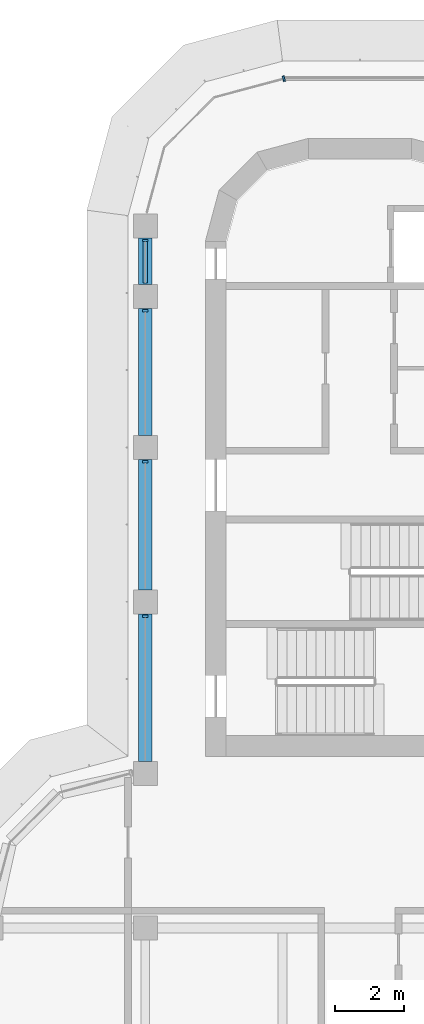
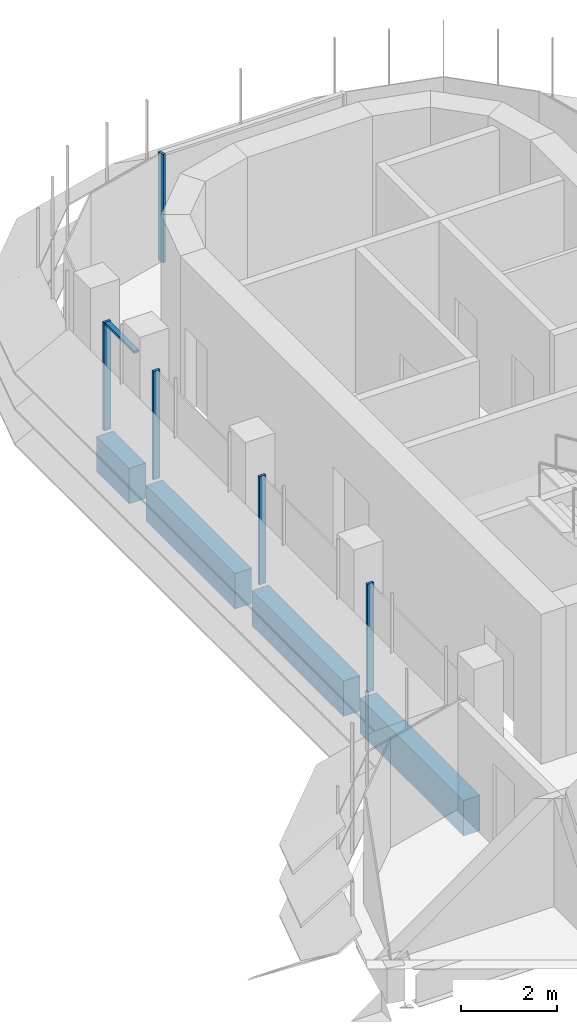
# One storey, part 7 of 18: 6 members, 4 beams, 2 elements without a shape of their own.
"""IFC4 building model written with IfcOpenShell, lengths in metres."""

from ifc_helpers import new_model, si_unit, direction, frame, origin, origin_2d, place, context, subcontext, project, spatial, polyline, rectangle, outline, extrude, source, transform, mapped, material, material_profile, profile_set, type_object, element, aggregate, save


model = new_model("IFC4")

# Units and contexts
model_context = context("Model", 3, precision=1e-05, world=origin(), true_north=direction((0.0, 1.0)))
body_context = subcontext(model_context, "Body", "Model", "MODEL_VIEW")
ifc_project = project(units=[si_unit("LENGTHUNIT", "METRE"), si_unit("AREAUNIT", "SQUARE_METRE"), si_unit("VOLUMEUNIT", "CUBIC_METRE"), si_unit("PLANEANGLEUNIT", "RADIAN"), si_unit("MASSUNIT", "GRAM", prefix="KILO")], contexts=[model_context])

# Site, building, storey
site_placement = place(None, origin())
site = spatial("IfcSite", under=ifc_project, at=site_placement, CompositionType="ELEMENT")
building_placement = place(site_placement, origin())
building = spatial("IfcBuilding", under=site, at=building_placement, Name="Zarbagh Exchange Tower", CompositionType="ELEMENT")
storey_placement = place(building_placement, frame((0.0, 0.0, 210.60009765625)))
storey = spatial("IfcBuildingStorey", under=building, at=storey_placement, Name="L51", CompositionType="ELEMENT", Elevation=210.60009765625)

# Beams
ifc_material_1 = material(Name="Concrete C50/60", Category="concrete")
ifc_material_profile = material_profile(ifc_material_1, rectangle(XDim=0.39990234375, YDim=0.89990234375, at=origin_2d()), Name="RC spandrel beam 400 x 900 C50/60")
ifc_profile_set = profile_set([ifc_material_profile], Name="Concrete C50/60")
beam_type = type_object("IfcBeamType", Name="RC spandrel beam 400 x 900 C50/60", PredefinedType="SPANDREL", material=ifc_profile_set)
beam_1_placement = place(storey_placement, frame((-6.25, 11.10009765625, -0.60009765625), z_axis=(0.0, 1.0, 0.0), x_axis=(-1.0, 0.0, 0.0)))
element("IfcBeam", 1, at=beam_1_placement, inside=storey, type_object=beam_type, Name="RC spandrel beam", PredefinedType="SPANDREL", context=body_context, shape_type="SweptSolid", body=[
    extrude(rectangle(XDim=0.39990234375, YDim=0.89990234375, at=origin_2d()), origin(), (0.0, 0.0, 1.0), 4.2998046875),
])
beam_2_placement = place(storey_placement, frame((-6.25, 16.10009765625, -0.60009765625), z_axis=(0.0, 1.0, 0.0), x_axis=(-1.0, 0.0, 0.0)))
element("IfcBeam", 2, at=beam_2_placement, inside=storey, type_object=beam_type, Name="RC spandrel beam", PredefinedType="SPANDREL", context=body_context, shape_type="SweptSolid", body=[
    extrude(rectangle(XDim=0.39990234375, YDim=0.89990234375, at=origin_2d()), origin(), (0.0, 0.0, 1.0), 3.7998046875),
])
beam_3_placement = place(storey_placement, frame((-6.25, 20.60009765625, -0.60009765625), z_axis=(0.0, 1.0, 0.0), x_axis=(-1.0, 0.0, 0.0)))
element("IfcBeam", 3, at=beam_3_placement, inside=storey, type_object=beam_type, Name="RC spandrel beam", PredefinedType="SPANDREL", context=body_context, shape_type="SweptSolid", body=[
    extrude(rectangle(XDim=0.39990234375, YDim=0.89990234375, at=origin_2d()), origin(), (0.0, 0.0, 1.0), 3.699951171875),
])
beam_4_placement = place(storey_placement, frame((-6.25, 25.0, -0.60009765625), z_axis=(0.0, 1.0, 0.0), x_axis=(-1.0, 0.0, 0.0)))
element("IfcBeam", 4, at=beam_4_placement, inside=storey, type_object=beam_type, Name="RC spandrel beam", PredefinedType="SPANDREL", context=body_context, shape_type="SweptSolid", body=[
    extrude(rectangle(XDim=0.39990234375, YDim=0.89990234375, at=origin_2d()), origin(), (0.0, 0.0, 1.0), 1.35009765625),
])

# Curtain wall, member
ifc_material_2 = material(Name="Anodised aluminium frame and glazing", Category="aluminium")
curtain_wall_type = type_object("IfcCurtainWallType", Name="CWB Ribbon glazing, upper zones", PredefinedType="NOTDEFINED", material=ifc_material_2)
curtain_wall_1_placement = place(storey_placement, origin())
curtain_wall_1 = element("IfcCurtainWall", 5, at=curtain_wall_1_placement, inside=storey, type_object=curtain_wall_type, Name="CWB25 curtain wall", PredefinedType="NOTDEFINED")
ifc_material_3 = material(Name="Anodised aluminium frame", Category="aluminium")
member_type_1 = type_object("IfcMemberType", Name="MUB Mullion, anodised aluminium frame", PredefinedType="MULLION", material=ifc_material_3)
shared_shape_1 = source(origin(), body_context, "Body", "SweptSolid", [
    extrude(outline(polyline([(0.0, -0.080078125), (0.06005859375, -0.080078125), (0.06005859375, 0.080078125), (0.0, 0.080078125), (0.0, -0.080078125)])), origin(), (0.0, 0.0, 1.0), 2.75),
])
placement = place(storey_placement, origin())
member_1 = element("IfcMember", 6, at=placement, type_object=member_type_1, Name="CWB25 mullion 1.1", PredefinedType="MULLION", context=body_context, shape_type="MappedRepresentation", body=[
    mapped(shared_shape_1, transform((-2.18408203125, 31.0, 0.0), x_axis=(-0.965924289636, -0.258824779902, 0.0), y_axis=(0.258824779902, -0.965924289636, 0.0), z_axis=(0.0, 0.0, 1.0))),
])
aggregate(curtain_wall_1, [member_1])

# Curtain wall, members
curtain_wall_2_placement = place(storey_placement, origin())
curtain_wall_2 = element("IfcCurtainWall", 7, at=curtain_wall_2_placement, inside=storey, type_object=curtain_wall_type, Name="CWB28 curtain wall", PredefinedType="NOTDEFINED")
member_2 = element("IfcMember", 8, at=placement, type_object=member_type_1, Name="CWB28 mullion 1.1", PredefinedType="MULLION", context=body_context, shape_type="MappedRepresentation", body=[
    mapped(shared_shape_1, transform((-6.25, 26.31005859375, 0.0), x_axis=(0.0, -1.0, 0.0), y_axis=(1.0, 0.0, 0.0), z_axis=(0.0, 0.0, 1.0))),
])
member_3 = element("IfcMember", 9, at=placement, type_object=member_type_1, Name="CWB28 mullion 2.1", PredefinedType="MULLION", context=body_context, shape_type="MappedRepresentation", body=[
    mapped(shared_shape_1, transform((-6.25, 24.260009765625, 0.0), x_axis=(0.0, -1.0, 0.0), y_axis=(1.0, 0.0, 0.0), z_axis=(0.0, 0.0, 1.0))),
])
member_4 = element("IfcMember", 10, at=placement, type_object=member_type_1, Name="CWB28 mullion 3.1", PredefinedType="MULLION", context=body_context, shape_type="MappedRepresentation", body=[
    mapped(shared_shape_1, transform((-6.25, 19.85986328125, 0.0), x_axis=(0.0, -1.0, 0.0), y_axis=(1.0, 0.0, 0.0), z_axis=(0.0, 0.0, 1.0))),
])
member_5 = element("IfcMember", 11, at=placement, type_object=member_type_1, Name="CWB28 mullion 4.1", PredefinedType="MULLION", context=body_context, shape_type="MappedRepresentation", body=[
    mapped(shared_shape_1, transform((-6.25, 15.35986328125, 0.0), x_axis=(0.0, -1.0, 0.0), y_axis=(1.0, 0.0, 0.0), z_axis=(0.0, 0.0, 1.0))),
])
member_type_2 = type_object("IfcMemberType", Name="TRB Transom, anodised aluminium frame", PredefinedType="USERDEFINED", material=ifc_material_3)
shared_shape_2 = source(origin(), body_context, "Body", "SweptSolid", [
    extrude(outline(polyline([(-0.06005859375, -0.06005859375), (0.0, -0.06005859375), (0.0, 0.06005859375), (-0.06005859375, 0.06005859375), (-0.06005859375, -0.06005859375)])), origin(), (0.0, 0.0, 1.0), 1.2099609375),
])
member_6 = element("IfcMember", 12, at=placement, type_object=member_type_2, Name="CWB28 transom 1.1", ObjectType="TRANSOM", PredefinedType="USERDEFINED", context=body_context, shape_type="MappedRepresentation", body=[
    mapped(shared_shape_2, transform((-6.25, 26.25, 2.75), x_axis=(0.0, 0.0, 1.0), y_axis=(-1.0, 0.0, 0.0), z_axis=(0.0, -1.0, 0.0))),
])
aggregate(curtain_wall_2, [member_2, member_6, member_3, member_4, member_5])

save(model, "model.ifc")
